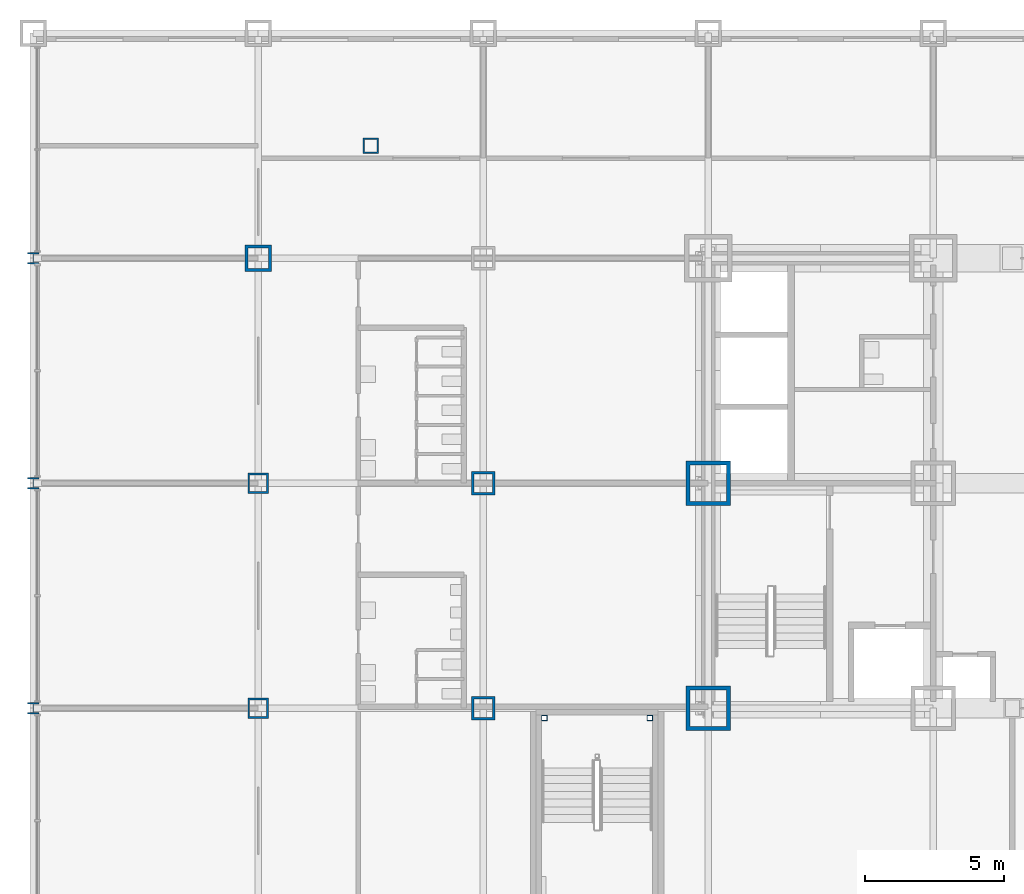
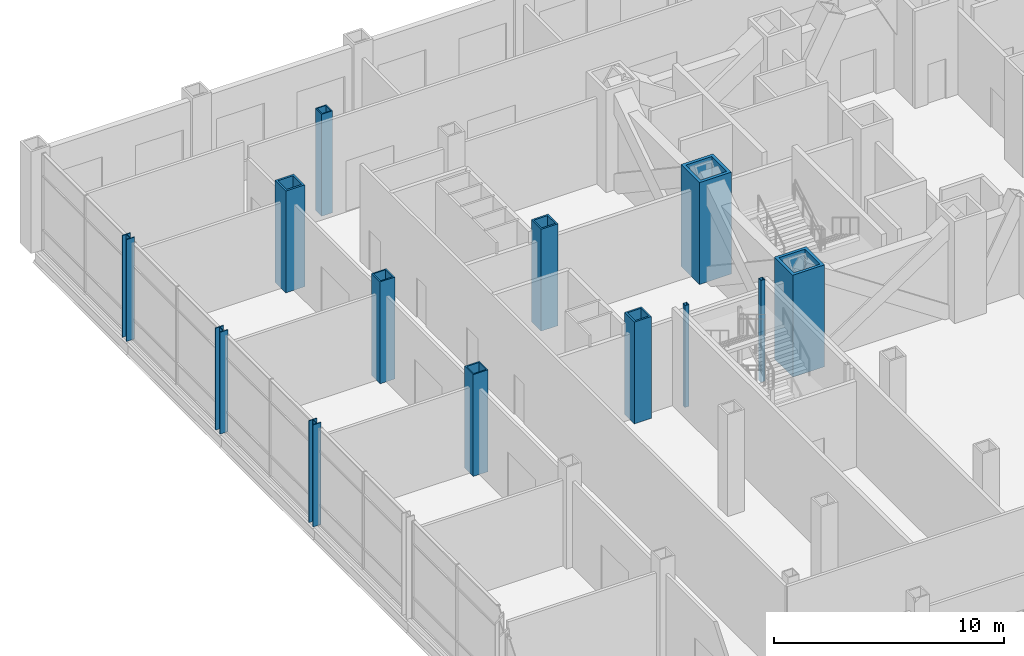
# One storey, part 5 of 30: 13 columns.
"""IFC4 building model written with IfcOpenShell, lengths in metres."""

from ifc_helpers import new_model, si_unit, direction, frame, origin, origin_2d, place, context, subcontext, project, spatial, hollow_rectangle, i_section, extrude, material, material_profile, profile_set, type_object, element, save


model = new_model("IFC4")

# Units and contexts
model_context = context("Model", 3, precision=1e-05, world=origin(), true_north=direction((0.0, 1.0)))
body_context = subcontext(model_context, "Body", "Model", "MODEL_VIEW")
ifc_project = project(units=[si_unit("LENGTHUNIT", "METRE"), si_unit("AREAUNIT", "SQUARE_METRE"), si_unit("VOLUMEUNIT", "CUBIC_METRE"), si_unit("PLANEANGLEUNIT", "RADIAN"), si_unit("MASSUNIT", "GRAM", prefix="KILO")], contexts=[model_context])

# Site, building, storey
site_placement = place(None, origin())
site = spatial("IfcSite", under=ifc_project, at=site_placement, CompositionType="ELEMENT")
building_placement = place(site_placement, origin())
building = spatial("IfcBuilding", under=site, at=building_placement, Name="Kopane Lantern Tower", CompositionType="ELEMENT")
storey_placement = place(building_placement, frame((0.0, 0.0, 6.0)))
storey = spatial("IfcBuildingStorey", under=building, at=storey_placement, Name="L01", CompositionType="ELEMENT", Elevation=6.0)

# Columns
ifc_material_1 = material(Name="Steel S355JR", Category="steel")
ifc_material_profile_1 = material_profile(ifc_material_1, hollow_rectangle(XDim=1.60009765625, YDim=1.60009765625, WallThickness=0.14990234375, at=origin_2d()), Name="BOX 1600x1600x150")
ifc_profile_set_1 = profile_set([ifc_material_profile_1], Name="Steel S355JR")
column_type_1 = type_object("IfcColumnType", Name="COLUMN BOX 1600x1600x150", PredefinedType="COLUMN", material=ifc_profile_set_1)
for number, where, z_axis, x_axis, name in (
    (1, (16.199951171875, 24.300048828125, 0.0), (0.0, 0.0, 1.0), (1.0, 0.0, 0.0), "Column 4/E L01"),
    (2, (16.199951171875, 32.39990234375, 0.0), (0.0, 0.0, 1.0), (1.0, 0.0, 0.0), "Column 4/F L01"),
):
    element("IfcColumn", number, at=place(storey_placement, frame(where, z_axis=z_axis, x_axis=x_axis)), inside=storey, type_object=column_type_1, Name=name, PredefinedType="COLUMN", context=body_context, shape_type="SweptSolid", body=[
        extrude(hollow_rectangle(XDim=1.60009765625, YDim=1.60009765625, WallThickness=0.14990234375, at=origin_2d()), origin(), (0.0, 0.0, 1.0), 5.39990234375),
    ])
ifc_material_2 = material(Name="Steel S355JR", Category="steel")
ifc_material_profile_2 = material_profile(ifc_material_2, hollow_rectangle(XDim=0.550048828125, YDim=0.550048828125, WallThickness=0.050048828125, at=origin_2d()), Name="BOX 550x550x50")
ifc_profile_set_2 = profile_set([ifc_material_profile_2], Name="Steel S355JR")
column_type_2 = type_object("IfcColumnType", Name="COLUMN BOX 550x550x50", PredefinedType="COLUMN", material=ifc_profile_set_2)
column_1_placement = place(storey_placement, frame((4.050048828125, 44.550048828125, 0.0), z_axis=(0.0, 0.0, 1.0), x_axis=(1.0, 0.0, 0.0)))
element("IfcColumn", 3, at=column_1_placement, inside=storey, type_object=column_type_2, Name="Column 4.05/44.55 L01", PredefinedType="COLUMN", context=body_context, shape_type="SweptSolid", body=[
    extrude(hollow_rectangle(XDim=0.550048828125, YDim=0.550048828125, WallThickness=0.050048828125, at=origin_2d()), origin(), (0.0, 0.0, 1.0), 5.39990234375),
])
ifc_material_3 = material(Name="Steel S355JR", Category="steel")
ifc_material_profile_3 = material_profile(ifc_material_3, hollow_rectangle(XDim=0.75, YDim=0.75, WallThickness=0.070068359375, at=origin_2d()), Name="BOX 750x750x70")
ifc_profile_set_3 = profile_set([ifc_material_profile_3], Name="Steel S355JR")
column_type_3 = type_object("IfcColumnType", Name="COLUMN BOX 750x750x70", PredefinedType="COLUMN", material=ifc_profile_set_3)
for number, where, z_axis, x_axis, name in (
    (4, (0.0, 24.300048828125, 0.0), (0.0, 0.0, 1.0), (1.0, 0.0, 0.0), "Column 2/E L01"),
    (5, (0.0, 32.39990234375, 0.0), (0.0, 0.0, 1.0), (1.0, 0.0, 0.0), "Column 2/F L01"),
):
    element("IfcColumn", number, at=place(storey_placement, frame(where, z_axis=z_axis, x_axis=x_axis)), inside=storey, type_object=column_type_3, Name=name, PredefinedType="COLUMN", context=body_context, shape_type="SweptSolid", body=[
        extrude(hollow_rectangle(XDim=0.75, YDim=0.75, WallThickness=0.070068359375, at=origin_2d()), origin(), (0.0, 0.0, 1.0), 5.39990234375),
    ])
ifc_material_4 = material(Name="Steel S355JR", Category="steel")
ifc_material_profile_4 = material_profile(ifc_material_4, hollow_rectangle(XDim=0.85009765625, YDim=0.85009765625, WallThickness=0.0849609375, at=origin_2d()), Name="BOX 850x850x85")
ifc_profile_set_4 = profile_set([ifc_material_profile_4], Name="Steel S355JR")
column_type_4 = type_object("IfcColumnType", Name="COLUMN BOX 850x850x85", PredefinedType="COLUMN", material=ifc_profile_set_4)
for number, where, z_axis, x_axis, name in (
    (6, (8.10009765625, 24.300048828125, 0.0), (0.0, 0.0, 1.0), (1.0, 0.0, 0.0), "Column 3/E L01"),
    (7, (8.10009765625, 32.39990234375, 0.0), (0.0, 0.0, 1.0), (1.0, 0.0, 0.0), "Column 3/F L01"),
):
    element("IfcColumn", number, at=place(storey_placement, frame(where, z_axis=z_axis, x_axis=x_axis)), inside=storey, type_object=column_type_4, Name=name, PredefinedType="COLUMN", context=body_context, shape_type="SweptSolid", body=[
        extrude(hollow_rectangle(XDim=0.85009765625, YDim=0.85009765625, WallThickness=0.0849609375, at=origin_2d()), origin(), (0.0, 0.0, 1.0), 5.39990234375),
    ])
ifc_material_5 = material(Name="Steel S355JR", Category="steel")
ifc_material_profile_5 = material_profile(ifc_material_5, hollow_rectangle(XDim=0.949951171875, YDim=0.949951171875, WallThickness=0.10009765625, at=origin_2d()), Name="BOX 950x950x100")
ifc_profile_set_5 = profile_set([ifc_material_profile_5], Name="Steel S355JR")
column_type_5 = type_object("IfcColumnType", Name="COLUMN BOX 950x950x100", PredefinedType="COLUMN", material=ifc_profile_set_5)
column_2_placement = place(storey_placement, frame((0.0, 40.5, 0.0), z_axis=(0.0, 0.0, 1.0), x_axis=(1.0, 0.0, 0.0)))
element("IfcColumn", 8, at=column_2_placement, inside=storey, type_object=column_type_5, Name="Column 2/G L01", PredefinedType="COLUMN", context=body_context, shape_type="SweptSolid", body=[
    extrude(hollow_rectangle(XDim=0.949951171875, YDim=0.949951171875, WallThickness=0.10009765625, at=origin_2d()), origin(), (0.0, 0.0, 1.0), 5.39990234375),
])
ifc_material_6 = material(Name="Steel S355JR", Category="steel")
ifc_material_profile_6 = material_profile(ifc_material_6, i_section(OverallWidth=0.403076171875, OverallDepth=0.406494140625, WebThickness=0.026611328125, FlangeThickness=0.04296875, FilletRadius=0.01513671875, at=origin_2d()), Name="UC 356x406x340")
ifc_profile_set_6 = profile_set([ifc_material_profile_6], Name="Steel S355JR")
column_type_6 = type_object("IfcColumnType", Name="COLUMN UC 356x406x340", PredefinedType="COLUMN", material=ifc_profile_set_6)
for number, where, z_axis, x_axis, name in (
    (9, (-8.10009765625, 24.300048828125, 0.0), (0.0, 0.0, 1.0), (1.0, 0.0, 0.0), "Column 1/E L01"),
    (10, (-8.10009765625, 32.39990234375, 0.0), (0.0, 0.0, 1.0), (1.0, 0.0, 0.0), "Column 1/F L01"),
    (11, (-8.10009765625, 40.5, 0.0), (0.0, 0.0, 1.0), (1.0, 0.0, 0.0), "Column 1/G L01"),
):
    element("IfcColumn", number, at=place(storey_placement, frame(where, z_axis=z_axis, x_axis=x_axis)), inside=storey, type_object=column_type_6, Name=name, PredefinedType="COLUMN", context=body_context, shape_type="SweptSolid", body=[
        extrude(i_section(OverallWidth=0.403076171875, OverallDepth=0.406494140625, WebThickness=0.026611328125, FlangeThickness=0.04296875, FilletRadius=0.01513671875, at=origin_2d()), origin(), (0.0, 0.0, 1.0), 5.39990234375),
    ])
ifc_material_7 = material(Name="Steel S355JR", Category="steel")
ifc_material_profile_7 = material_profile(ifc_material_7, hollow_rectangle(XDim=0.199951171875, YDim=0.199951171875, WallThickness=0.011962890625, at=origin_2d()), Name="BOX 200x200x12")
ifc_profile_set_7 = profile_set([ifc_material_profile_7], Name="Steel S355JR")
column_type_7 = type_object("IfcColumnType", Name="STAIR POST BOX 200x200x12", PredefinedType="COLUMN", material=ifc_profile_set_7)
for number, where, z_axis, x_axis, name in (
    (12, (10.300048828125, 23.949951171875, 0.0), (0.0, 0.0, 1.0), (1.0, 0.0, 0.0), "Stair post ST3 NW L01"),
    (13, (14.10009765625, 23.949951171875, 0.0), (0.0, 0.0, 1.0), (1.0, 0.0, 0.0), "Stair post ST3 NE L01"),
):
    element("IfcColumn", number, at=place(storey_placement, frame(where, z_axis=z_axis, x_axis=x_axis)), inside=storey, type_object=column_type_7, Name=name, PredefinedType="COLUMN", context=body_context, shape_type="SweptSolid", body=[
        extrude(hollow_rectangle(XDim=0.199951171875, YDim=0.199951171875, WallThickness=0.011962890625, at=origin_2d()), origin(), (0.0, 0.0, 1.0), 5.39990234375),
    ])

save(model, "model.ifc")
